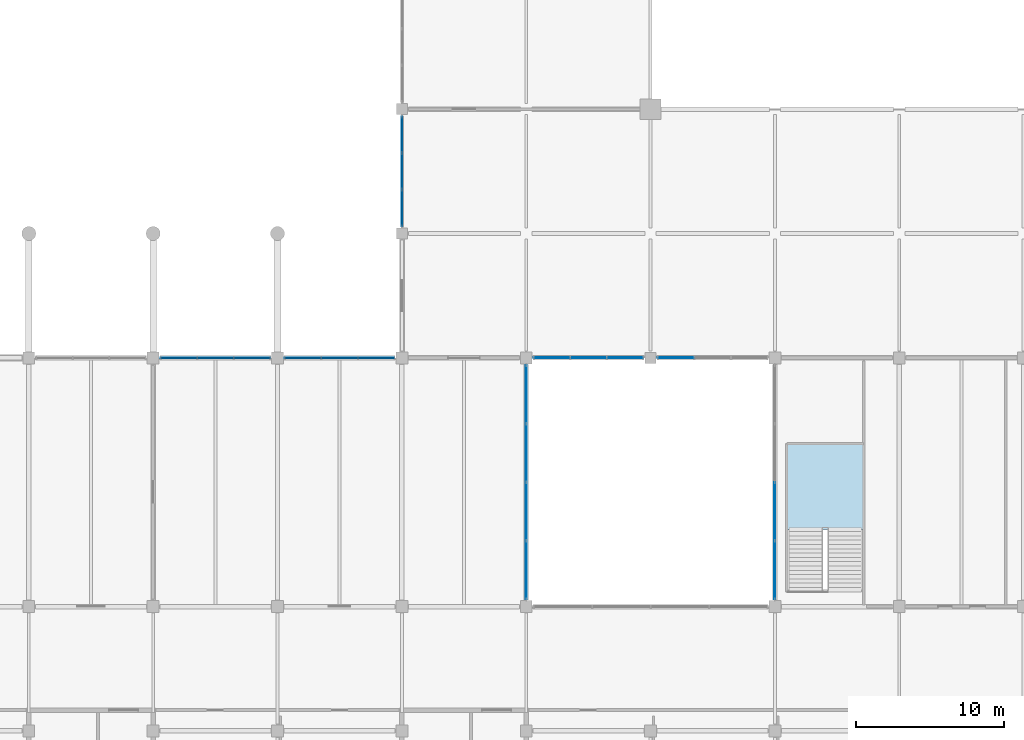
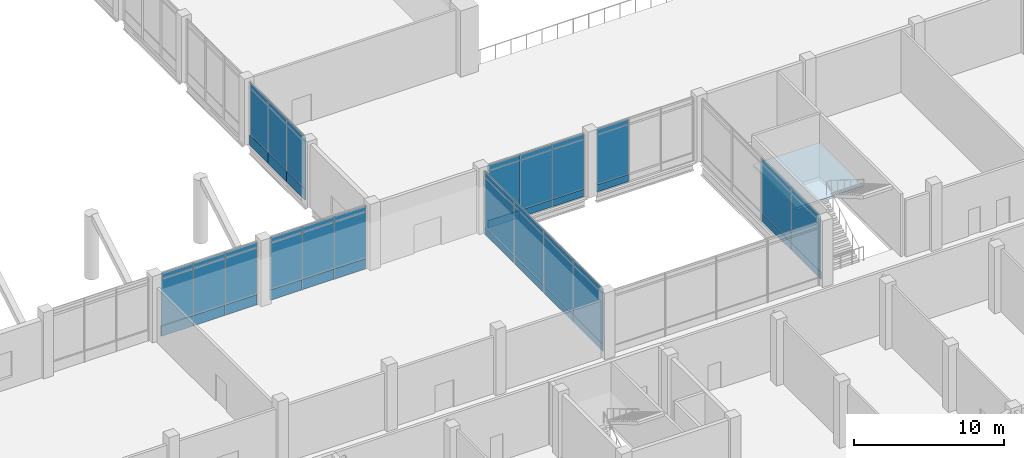
# One storey, part 43 of 72: 57 plates, 1 slab, 8 elements without a shape of their own.
"""IFC4 building model written with IfcOpenShell, lengths in metres."""

from ifc_helpers import new_model, si_unit, direction, frame, frame_2d, origin, place, context, subcontext, project, spatial, polyline, rectangle, outline, extrude, material, layer, layer_set, type_object, element, aggregate, save


model = new_model("IFC4")

# Units and contexts
model_context = context("Model", 3, precision=1e-05, world=origin(), true_north=direction((0.0, 1.0)))
body_context = subcontext(model_context, "Body", "Model", "MODEL_VIEW")
ifc_project = project(units=[si_unit("LENGTHUNIT", "METRE"), si_unit("AREAUNIT", "SQUARE_METRE"), si_unit("VOLUMEUNIT", "CUBIC_METRE"), si_unit("PLANEANGLEUNIT", "RADIAN"), si_unit("MASSUNIT", "GRAM", prefix="KILO")], contexts=[model_context])

# Site, building, storey
site_placement = place(None, origin())
site = spatial("IfcSite", under=ifc_project, at=site_placement, CompositionType="ELEMENT")
building_placement = place(site_placement, origin())
building = spatial("IfcBuilding", under=site, at=building_placement, Name="Qawsi Khor Wholesale Market", CompositionType="ELEMENT")
storey_placement = place(building_placement, frame((0.0, 0.0, 6.0)))
storey = spatial("IfcBuildingStorey", under=building, at=storey_placement, Name="L01", CompositionType="ELEMENT", Elevation=6.0)

# Stair, slab
ifc_material_1 = material(Name="Concrete C40/50", Category="concrete")
stair_type = type_object("IfcStairType", Name="Atrium Feature Stair 5400 Rise", PredefinedType="HALF_TURN_STAIR", material=ifc_material_1)
stair_placement = place(storey_placement, origin())
stair = element("IfcStair", 1, at=stair_placement, inside=storey, type_object=stair_type, Name="Atrium feature stair E L01", PredefinedType="HALF_TURN_STAIR")
ifc_layer_1 = layer(ifc_material_1, 0.199951171875, Name="Concrete C40/50")
ifc_layer_set_1 = layer_set([ifc_layer_1], Name="Concrete C40/50")
slab_type = type_object("IfcSlabType", Name="Atrium Feature Landing Slab 200 C40/50", PredefinedType="LANDING", material=ifc_layer_set_1)
slab_placement = place(storey_placement, frame((0.0, 0.0, 2.5)))
slab = element("IfcSlab", 2, at=slab_placement, type_object=slab_type, Name="ST-AE-1 landing 1", PredefinedType="LANDING", context=body_context, shape_type="SweptSolid", body=[
    extrude(outline(polyline([(168.820068359375, 30.389892578125), (173.97998046875, 30.389892578125), (173.97998046875, 36.219970703125), (168.820068359375, 36.219970703125), (168.820068359375, 30.389892578125)])), origin(), (0.0, 0.0, 1.0), 0.199951171875),
])
aggregate(stair, [slab])

# Curtain wall, plates
ifc_material_2 = material(Name="Aluminium Anodised Bronze", Category="aluminium")
ifc_layer_2 = layer(ifc_material_2, 0.179931640625, Name="Aluminium Anodised Bronze")
ifc_layer_set_2 = layer_set([ifc_layer_2], Name="Aluminium Anodised Bronze")
curtain_wall_type_1 = type_object("IfcCurtainWallType", Name="Atrium Full-Height Curtain Wall CW-02", PredefinedType="NOTDEFINED", material=ifc_layer_set_2)
curtain_wall_1_placement = place(storey_placement, origin())
curtain_wall_1 = element("IfcCurtainWall", 3, at=curtain_wall_1_placement, inside=storey, type_object=curtain_wall_type_1, Name="Curtain wall CW-CW-02-L01-037", PredefinedType="NOTDEFINED")
ifc_material_3 = material(Name="Anodised Aluminium Spandrel", Category="aluminium")
ifc_layer_3 = layer(ifc_material_3, 0.06494140625, Name="Anodised Aluminium Spandrel")
ifc_layer_set_3 = layer_set([ifc_layer_3], Name="Anodised Aluminium Spandrel")
plate_type_1 = type_object("IfcPlateType", Name="Insulated Spandrel Panel CW-02 65mm", PredefinedType="CURTAIN_PANEL", material=ifc_layer_set_3)
plate_1_placement = place(storey_placement, frame((151.695068359375, 42.0, 0.0048828125), z_axis=(0.0, 0.0, 1.0), x_axis=(1.0, 0.0, 0.0)))
plate_1 = element("IfcPlate", 4, at=plate_1_placement, type_object=plate_type_1, Name="Curtain panel CW-CW-02-L01-037-P0_00", PredefinedType="CURTAIN_PANEL", context=body_context, shape_type="SweptSolid", body=[
    extrude(rectangle(XDim=2.469970703125, YDim=0.06494140625, at=frame_2d((1.23486328125, 0.0))), origin(), (0.0, 0.0, 1.0), 0.590087890625),
])
plate_2_placement = place(storey_placement, frame((154.1650390625, 42.0, 0.0048828125), z_axis=(0.0, 0.0, 1.0), x_axis=(1.0, 0.0, 0.0)))
plate_2 = element("IfcPlate", 5, at=plate_2_placement, type_object=plate_type_1, Name="Curtain panel CW-CW-02-L01-037-P0_01", PredefinedType="CURTAIN_PANEL", context=body_context, shape_type="SweptSolid", body=[
    extrude(rectangle(XDim=2.469970703125, YDim=0.06494140625, at=frame_2d((1.23486328125, 0.0))), origin(), (0.0, 0.0, 1.0), 0.590087890625),
])
plate_3_placement = place(storey_placement, frame((156.635009765625, 42.0, 0.0048828125), z_axis=(0.0, 0.0, 1.0), x_axis=(1.0, 0.0, 0.0)))
plate_3 = element("IfcPlate", 6, at=plate_3_placement, type_object=plate_type_1, Name="Curtain panel CW-CW-02-L01-037-P0_02", PredefinedType="CURTAIN_PANEL", context=body_context, shape_type="SweptSolid", body=[
    extrude(rectangle(XDim=2.469970703125, YDim=0.06494140625, at=frame_2d((1.23486328125, 0.0))), origin(), (0.0, 0.0, 1.0), 0.590087890625),
])

# Curtain wall, plate
curtain_wall_2_placement = place(storey_placement, origin())
curtain_wall_2 = element("IfcCurtainWall", 7, at=curtain_wall_2_placement, inside=storey, type_object=curtain_wall_type_1, Name="Curtain wall CW-CW-02-L01-038", PredefinedType="NOTDEFINED")
plate_4_placement = place(storey_placement, frame((160.094970703125, 42.0, 0.0048828125), z_axis=(0.0, 0.0, 1.0), x_axis=(1.0, 0.0, 0.0)))
plate_4 = element("IfcPlate", 8, at=plate_4_placement, type_object=plate_type_1, Name="Curtain panel CW-CW-02-L01-038-P0_00", PredefinedType="CURTAIN_PANEL", context=body_context, shape_type="SweptSolid", body=[
    extrude(rectangle(XDim=2.469970703125, YDim=0.06494140625, at=frame_2d((1.23486328125, 0.0))), origin(), (0.0, 0.0, 1.0), 0.590087890625),
])

# Curtain wall, plates
curtain_wall_3_placement = place(storey_placement, origin())
curtain_wall_3 = element("IfcCurtainWall", 9, at=curtain_wall_3_placement, inside=storey, type_object=curtain_wall_type_1, Name="Curtain wall CW-CW-02-L01-039", PredefinedType="NOTDEFINED")
plate_5_placement = place(storey_placement, frame((151.199951171875, 25.695068359375, 0.0048828125), z_axis=(0.0, 0.0, 1.0), x_axis=(0.0, 1.0, 0.0)))
plate_5 = element("IfcPlate", 10, at=plate_5_placement, type_object=plate_type_1, Name="Curtain panel CW-CW-02-L01-039-P0_00", PredefinedType="CURTAIN_PANEL", context=body_context, shape_type="SweptSolid", body=[
    extrude(rectangle(XDim=3.952392578125, YDim=0.06494140625, at=frame_2d((1.97607421875, 0.0))), origin(), (0.0, 0.0, 1.0), 0.590087890625),
])
plate_6_placement = place(storey_placement, frame((151.199951171875, 29.6474609375, 0.0048828125), z_axis=(0.0, 0.0, 1.0), x_axis=(0.0, 1.0, 0.0)))
plate_6 = element("IfcPlate", 11, at=plate_6_placement, type_object=plate_type_1, Name="Curtain panel CW-CW-02-L01-039-P0_01", PredefinedType="CURTAIN_PANEL", context=body_context, shape_type="SweptSolid", body=[
    extrude(rectangle(XDim=3.95263671875, YDim=0.06494140625, at=frame_2d((1.976318359375, 0.0))), origin(), (0.0, 0.0, 1.0), 0.590087890625),
])
plate_7_placement = place(storey_placement, frame((151.199951171875, 33.60009765625, 0.0048828125), z_axis=(0.0, 0.0, 1.0), x_axis=(0.0, 1.0, 0.0)))
plate_7 = element("IfcPlate", 12, at=plate_7_placement, type_object=plate_type_1, Name="Curtain panel CW-CW-02-L01-039-P0_02", PredefinedType="CURTAIN_PANEL", context=body_context, shape_type="SweptSolid", body=[
    extrude(rectangle(XDim=3.952392578125, YDim=0.06494140625, at=frame_2d((1.97607421875, 0.0))), origin(), (0.0, 0.0, 1.0), 0.590087890625),
])
plate_8_placement = place(storey_placement, frame((151.199951171875, 37.552490234375, 0.0048828125), z_axis=(0.0, 0.0, 1.0), x_axis=(0.0, 1.0, 0.0)))
plate_8 = element("IfcPlate", 13, at=plate_8_placement, type_object=plate_type_1, Name="Curtain panel CW-CW-02-L01-039-P0_03", PredefinedType="CURTAIN_PANEL", context=body_context, shape_type="SweptSolid", body=[
    extrude(rectangle(XDim=3.952392578125, YDim=0.06494140625, at=frame_2d((1.97607421875, 0.0))), origin(), (0.0, 0.0, 1.0), 0.590087890625),
])

curtain_wall_4_placement = place(storey_placement, origin())
curtain_wall_4 = element("IfcCurtainWall", 14, at=curtain_wall_4_placement, inside=storey, type_object=curtain_wall_type_1, Name="Curtain wall CW-CW-02-L01-040", PredefinedType="NOTDEFINED")
plate_9_placement = place(storey_placement, frame((168.0, 25.695068359375, 0.0048828125), z_axis=(0.0, 0.0, 1.0), x_axis=(0.0, 1.0, 0.0)))
plate_9 = element("IfcPlate", 15, at=plate_9_placement, type_object=plate_type_1, Name="Curtain panel CW-CW-02-L01-040-P0_00", PredefinedType="CURTAIN_PANEL", context=body_context, shape_type="SweptSolid", body=[
    extrude(rectangle(XDim=3.952392578125, YDim=0.06494140625, at=frame_2d((1.97607421875, 0.0))), origin(), (0.0, 0.0, 1.0), 0.590087890625),
])
plate_10_placement = place(storey_placement, frame((168.0, 29.6474609375, 0.0048828125), z_axis=(0.0, 0.0, 1.0), x_axis=(0.0, 1.0, 0.0)))
plate_10 = element("IfcPlate", 16, at=plate_10_placement, type_object=plate_type_1, Name="Curtain panel CW-CW-02-L01-040-P0_01", PredefinedType="CURTAIN_PANEL", context=body_context, shape_type="SweptSolid", body=[
    extrude(rectangle(XDim=3.95263671875, YDim=0.06494140625, at=frame_2d((1.976318359375, 0.0))), origin(), (0.0, 0.0, 1.0), 0.590087890625),
])

ifc_layer_4 = layer(ifc_material_2, 0.199951171875, Name="Aluminium Anodised Bronze")
ifc_layer_set_4 = layer_set([ifc_layer_4], Name="Aluminium Anodised Bronze")
curtain_wall_type_2 = type_object("IfcCurtainWallType", Name="Trading Hall North-Light Curtain Wall CW-03", PredefinedType="NOTDEFINED", material=ifc_layer_set_4)
curtain_wall_5_placement = place(storey_placement, origin())
curtain_wall_5 = element("IfcCurtainWall", 17, at=curtain_wall_5_placement, inside=storey, type_object=curtain_wall_type_2, Name="Curtain wall CW-CW-03-L01-076", PredefinedType="NOTDEFINED")
ifc_layer_5 = layer(ifc_material_3, 0.074951171875, Name="Anodised Aluminium Spandrel")
ifc_layer_set_5 = layer_set([ifc_layer_5], Name="Anodised Aluminium Spandrel")
plate_type_2 = type_object("IfcPlateType", Name="Insulated Spandrel Panel CW-03 75mm", PredefinedType="CURTAIN_PANEL", material=ifc_layer_set_5)
plate_11_placement = place(storey_placement, frame((142.800048828125, 50.8974609375, 0.0048828125), z_axis=(0.0, 0.0, 1.0), x_axis=(0.0, 1.0, 0.0)))
plate_11 = element("IfcPlate", 18, at=plate_11_placement, type_object=plate_type_2, Name="Curtain panel CW-CW-03-L01-076-P0_00", PredefinedType="CURTAIN_PANEL", context=body_context, shape_type="SweptSolid", body=[
    extrude(rectangle(XDim=2.46826171875, YDim=0.074951171875, at=frame_2d((1.234130859375, 0.0))), origin(), (0.0, 0.0, 1.0), 0.840087890625),
])
plate_12_placement = place(storey_placement, frame((142.800048828125, 53.36572265625, 0.0048828125), z_axis=(0.0, 0.0, 1.0), x_axis=(0.0, 1.0, 0.0)))
plate_12 = element("IfcPlate", 19, at=plate_12_placement, type_object=plate_type_2, Name="Curtain panel CW-CW-03-L01-076-P0_01", PredefinedType="CURTAIN_PANEL", context=body_context, shape_type="SweptSolid", body=[
    extrude(rectangle(XDim=2.468505859375, YDim=0.074951171875, at=frame_2d((1.234375, 0.0))), origin(), (0.0, 0.0, 1.0), 0.840087890625),
])
plate_13_placement = place(storey_placement, frame((142.800048828125, 55.834228515625, 0.0048828125), z_axis=(0.0, 0.0, 1.0), x_axis=(0.0, 1.0, 0.0)))
plate_13 = element("IfcPlate", 20, at=plate_13_placement, type_object=plate_type_2, Name="Curtain panel CW-CW-03-L01-076-P0_02", PredefinedType="CURTAIN_PANEL", context=body_context, shape_type="SweptSolid", body=[
    extrude(rectangle(XDim=2.46826171875, YDim=0.074951171875, at=frame_2d((1.234130859375, 0.0))), origin(), (0.0, 0.0, 1.0), 0.840087890625),
])

ifc_layer_6 = layer(ifc_material_2, 0.169921875, Name="Aluminium Anodised Bronze")
ifc_layer_set_6 = layer_set([ifc_layer_6], Name="Aluminium Anodised Bronze")
curtain_wall_type_3 = type_object("IfcCurtainWallType", Name="Central Court Gallery Curtain Wall CW-05", PredefinedType="NOTDEFINED", material=ifc_layer_set_6)
curtain_wall_6_placement = place(storey_placement, origin())
curtain_wall_6 = element("IfcCurtainWall", 21, at=curtain_wall_6_placement, inside=storey, type_object=curtain_wall_type_3, Name="Curtain wall CW-CW-05-L01-064", PredefinedType="NOTDEFINED")
ifc_layer_7 = layer(ifc_material_3, 0.094970703125, Name="Anodised Aluminium Spandrel")
ifc_layer_set_7 = layer_set([ifc_layer_7], Name="Anodised Aluminium Spandrel")
plate_type_3 = type_object("IfcPlateType", Name="Insulated Spandrel Panel CW-05 95mm", PredefinedType="CURTAIN_PANEL", material=ifc_layer_set_7)
plate_14_placement = place(storey_placement, frame((126.5, 42.0, 0.0048828125), z_axis=(0.0, 0.0, 1.0), x_axis=(1.0, 0.0, 0.0)))
plate_14 = element("IfcPlate", 22, at=plate_14_placement, type_object=plate_type_3, Name="Curtain panel CW-CW-05-L01-064-P0_00", PredefinedType="CURTAIN_PANEL", context=body_context, shape_type="SweptSolid", body=[
    extrude(rectangle(XDim=2.466796875, YDim=0.094970703125, at=frame_2d((1.2333984375, 0.0))), origin(), (0.0, 0.0, 1.0), 0.840087890625),
])
plate_15_placement = place(storey_placement, frame((128.966796875, 42.0, 0.0048828125), z_axis=(0.0, 0.0, 1.0), x_axis=(1.0, 0.0, 0.0)))
plate_15 = element("IfcPlate", 23, at=plate_15_placement, type_object=plate_type_3, Name="Curtain panel CW-CW-05-L01-064-P0_01", PredefinedType="CURTAIN_PANEL", context=body_context, shape_type="SweptSolid", body=[
    extrude(rectangle(XDim=2.466552734375, YDim=0.094970703125, at=frame_2d((1.2333984375, 0.0))), origin(), (0.0, 0.0, 1.0), 0.840087890625),
])
plate_16_placement = place(storey_placement, frame((131.433349609375, 42.0, 0.0048828125), z_axis=(0.0, 0.0, 1.0), x_axis=(1.0, 0.0, 0.0)))
plate_16 = element("IfcPlate", 24, at=plate_16_placement, type_object=plate_type_3, Name="Curtain panel CW-CW-05-L01-064-P0_02", PredefinedType="CURTAIN_PANEL", context=body_context, shape_type="SweptSolid", body=[
    extrude(rectangle(XDim=2.466552734375, YDim=0.094970703125, at=frame_2d((1.2333984375, 0.0))), origin(), (0.0, 0.0, 1.0), 0.840087890625),
])

curtain_wall_7_placement = place(storey_placement, origin())
curtain_wall_7 = element("IfcCurtainWall", 25, at=curtain_wall_7_placement, inside=storey, type_object=curtain_wall_type_3, Name="Curtain wall CW-CW-05-L01-065", PredefinedType="NOTDEFINED")
plate_17_placement = place(storey_placement, frame((134.89990234375, 42.0, 0.0048828125), z_axis=(0.0, 0.0, 1.0), x_axis=(1.0, 0.0, 0.0)))
plate_17 = element("IfcPlate", 26, at=plate_17_placement, type_object=plate_type_3, Name="Curtain panel CW-CW-05-L01-065-P0_00", PredefinedType="CURTAIN_PANEL", context=body_context, shape_type="SweptSolid", body=[
    extrude(rectangle(XDim=2.466796875, YDim=0.094970703125, at=frame_2d((1.2333984375, 0.0))), origin(), (0.0, 0.0, 1.0), 0.840087890625),
])
plate_18_placement = place(storey_placement, frame((137.36669921875, 42.0, 0.0048828125), z_axis=(0.0, 0.0, 1.0), x_axis=(1.0, 0.0, 0.0)))
plate_18 = element("IfcPlate", 27, at=plate_18_placement, type_object=plate_type_3, Name="Curtain panel CW-CW-05-L01-065-P0_01", PredefinedType="CURTAIN_PANEL", context=body_context, shape_type="SweptSolid", body=[
    extrude(rectangle(XDim=2.466552734375, YDim=0.094970703125, at=frame_2d((1.2333984375, 0.0))), origin(), (0.0, 0.0, 1.0), 0.840087890625),
])
plate_19_placement = place(storey_placement, frame((139.833251953125, 42.0, 0.0048828125), z_axis=(0.0, 0.0, 1.0), x_axis=(1.0, 0.0, 0.0)))
plate_19 = element("IfcPlate", 28, at=plate_19_placement, type_object=plate_type_3, Name="Curtain panel CW-CW-05-L01-065-P0_02", PredefinedType="CURTAIN_PANEL", context=body_context, shape_type="SweptSolid", body=[
    extrude(rectangle(XDim=2.466796875, YDim=0.094970703125, at=frame_2d((1.2333984375, 0.0))), origin(), (0.0, 0.0, 1.0), 0.840087890625),
])

# Plate
ifc_material_4 = material(Name="Tempered Low-E Solar Glass", Category="glass")
ifc_layer_8 = layer(ifc_material_4, 0.031982421875, Name="Tempered Low-E Solar Glass")
ifc_layer_set_8 = layer_set([ifc_layer_8], Name="Tempered Low-E Solar Glass")
plate_type_4 = type_object("IfcPlateType", Name="Solar Double-Glazed Unit CW-02 32mm", PredefinedType="CURTAIN_PANEL", material=ifc_layer_set_8)
plate_20_placement = place(storey_placement, frame((151.695068359375, 42.0, 0.60498046875), z_axis=(0.0, 0.0, 1.0), x_axis=(1.0, 0.0, 0.0)))
plate_20 = element("IfcPlate", 29, at=plate_20_placement, type_object=plate_type_4, Name="Curtain panel CW-CW-02-L01-037-P1_00", PredefinedType="CURTAIN_PANEL", context=body_context, shape_type="SweptSolid", body=[
    extrude(rectangle(XDim=2.469970703125, YDim=0.031982421875, at=frame_2d((1.23486328125, 0.0))), origin(), (0.0, 0.0, 1.0), 4.06005859375),
])

plate_21_placement = place(storey_placement, frame((154.1650390625, 42.0, 0.60498046875), z_axis=(0.0, 0.0, 1.0), x_axis=(1.0, 0.0, 0.0)))
plate_21 = element("IfcPlate", 30, at=plate_21_placement, type_object=plate_type_4, Name="Curtain panel CW-CW-02-L01-037-P1_01", PredefinedType="CURTAIN_PANEL", context=body_context, shape_type="SweptSolid", body=[
    extrude(rectangle(XDim=2.469970703125, YDim=0.031982421875, at=frame_2d((1.23486328125, 0.0))), origin(), (0.0, 0.0, 1.0), 4.06005859375),
])

plate_22_placement = place(storey_placement, frame((156.635009765625, 42.0, 0.60498046875), z_axis=(0.0, 0.0, 1.0), x_axis=(1.0, 0.0, 0.0)))
plate_22 = element("IfcPlate", 31, at=plate_22_placement, type_object=plate_type_4, Name="Curtain panel CW-CW-02-L01-037-P1_02", PredefinedType="CURTAIN_PANEL", context=body_context, shape_type="SweptSolid", body=[
    extrude(rectangle(XDim=2.469970703125, YDim=0.031982421875, at=frame_2d((1.23486328125, 0.0))), origin(), (0.0, 0.0, 1.0), 4.06005859375),
])

plate_23_placement = place(storey_placement, frame((151.695068359375, 42.0, 4.675048828125), z_axis=(0.0, 0.0, 1.0), x_axis=(1.0, 0.0, 0.0)))
plate_23 = element("IfcPlate", 32, at=plate_23_placement, type_object=plate_type_4, Name="Curtain panel CW-CW-02-L01-037-P2_00", PredefinedType="CURTAIN_PANEL", context=body_context, shape_type="SweptSolid", body=[
    extrude(rectangle(XDim=2.469970703125, YDim=0.031982421875, at=frame_2d((1.23486328125, 0.0))), origin(), (0.0, 0.0, 1.0), 0.43994140625),
])

plate_24_placement = place(storey_placement, frame((154.1650390625, 42.0, 4.675048828125), z_axis=(0.0, 0.0, 1.0), x_axis=(1.0, 0.0, 0.0)))
plate_24 = element("IfcPlate", 33, at=plate_24_placement, type_object=plate_type_4, Name="Curtain panel CW-CW-02-L01-037-P2_01", PredefinedType="CURTAIN_PANEL", context=body_context, shape_type="SweptSolid", body=[
    extrude(rectangle(XDim=2.469970703125, YDim=0.031982421875, at=frame_2d((1.23486328125, 0.0))), origin(), (0.0, 0.0, 1.0), 0.43994140625),
])

plate_25_placement = place(storey_placement, frame((156.635009765625, 42.0, 4.675048828125), z_axis=(0.0, 0.0, 1.0), x_axis=(1.0, 0.0, 0.0)))
plate_25 = element("IfcPlate", 34, at=plate_25_placement, type_object=plate_type_4, Name="Curtain panel CW-CW-02-L01-037-P2_02", PredefinedType="CURTAIN_PANEL", context=body_context, shape_type="SweptSolid", body=[
    extrude(rectangle(XDim=2.469970703125, YDim=0.031982421875, at=frame_2d((1.23486328125, 0.0))), origin(), (0.0, 0.0, 1.0), 0.43994140625),
])

aggregate(curtain_wall_1, [plate_1, plate_2, plate_3, plate_20, plate_21, plate_22, plate_23, plate_24, plate_25])

plate_26_placement = place(storey_placement, frame((160.094970703125, 42.0, 0.60498046875), z_axis=(0.0, 0.0, 1.0), x_axis=(1.0, 0.0, 0.0)))
plate_26 = element("IfcPlate", 35, at=plate_26_placement, type_object=plate_type_4, Name="Curtain panel CW-CW-02-L01-038-P1_00", PredefinedType="CURTAIN_PANEL", context=body_context, shape_type="SweptSolid", body=[
    extrude(rectangle(XDim=2.469970703125, YDim=0.031982421875, at=frame_2d((1.23486328125, 0.0))), origin(), (0.0, 0.0, 1.0), 4.06005859375),
])

plate_27_placement = place(storey_placement, frame((160.094970703125, 42.0, 4.675048828125), z_axis=(0.0, 0.0, 1.0), x_axis=(1.0, 0.0, 0.0)))
plate_27 = element("IfcPlate", 36, at=plate_27_placement, type_object=plate_type_4, Name="Curtain panel CW-CW-02-L01-038-P2_00", PredefinedType="CURTAIN_PANEL", context=body_context, shape_type="SweptSolid", body=[
    extrude(rectangle(XDim=2.469970703125, YDim=0.031982421875, at=frame_2d((1.23486328125, 0.0))), origin(), (0.0, 0.0, 1.0), 0.43994140625),
])

aggregate(curtain_wall_2, [plate_4, plate_26, plate_27])

plate_28_placement = place(storey_placement, frame((151.199951171875, 25.695068359375, 0.60498046875), z_axis=(0.0, 0.0, 1.0), x_axis=(0.0, 1.0, 0.0)))
plate_28 = element("IfcPlate", 37, at=plate_28_placement, type_object=plate_type_4, Name="Curtain panel CW-CW-02-L01-039-P1_00", PredefinedType="CURTAIN_PANEL", context=body_context, shape_type="SweptSolid", body=[
    extrude(rectangle(XDim=3.952392578125, YDim=0.031982421875, at=frame_2d((1.97607421875, 0.0))), origin(), (0.0, 0.0, 1.0), 4.06005859375),
])

plate_29_placement = place(storey_placement, frame((151.199951171875, 29.6474609375, 0.60498046875), z_axis=(0.0, 0.0, 1.0), x_axis=(0.0, 1.0, 0.0)))
plate_29 = element("IfcPlate", 38, at=plate_29_placement, type_object=plate_type_4, Name="Curtain panel CW-CW-02-L01-039-P1_01", PredefinedType="CURTAIN_PANEL", context=body_context, shape_type="SweptSolid", body=[
    extrude(rectangle(XDim=3.95263671875, YDim=0.031982421875, at=frame_2d((1.976318359375, 0.0))), origin(), (0.0, 0.0, 1.0), 4.06005859375),
])

plate_30_placement = place(storey_placement, frame((151.199951171875, 33.60009765625, 0.60498046875), z_axis=(0.0, 0.0, 1.0), x_axis=(0.0, 1.0, 0.0)))
plate_30 = element("IfcPlate", 39, at=plate_30_placement, type_object=plate_type_4, Name="Curtain panel CW-CW-02-L01-039-P1_02", PredefinedType="CURTAIN_PANEL", context=body_context, shape_type="SweptSolid", body=[
    extrude(rectangle(XDim=3.952392578125, YDim=0.031982421875, at=frame_2d((1.97607421875, 0.0))), origin(), (0.0, 0.0, 1.0), 4.06005859375),
])

plate_31_placement = place(storey_placement, frame((151.199951171875, 37.552490234375, 0.60498046875), z_axis=(0.0, 0.0, 1.0), x_axis=(0.0, 1.0, 0.0)))
plate_31 = element("IfcPlate", 40, at=plate_31_placement, type_object=plate_type_4, Name="Curtain panel CW-CW-02-L01-039-P1_03", PredefinedType="CURTAIN_PANEL", context=body_context, shape_type="SweptSolid", body=[
    extrude(rectangle(XDim=3.952392578125, YDim=0.031982421875, at=frame_2d((1.97607421875, 0.0))), origin(), (0.0, 0.0, 1.0), 4.06005859375),
])

plate_32_placement = place(storey_placement, frame((151.199951171875, 25.695068359375, 4.675048828125), z_axis=(0.0, 0.0, 1.0), x_axis=(0.0, 1.0, 0.0)))
plate_32 = element("IfcPlate", 41, at=plate_32_placement, type_object=plate_type_4, Name="Curtain panel CW-CW-02-L01-039-P2_00", PredefinedType="CURTAIN_PANEL", context=body_context, shape_type="SweptSolid", body=[
    extrude(rectangle(XDim=3.952392578125, YDim=0.031982421875, at=frame_2d((1.97607421875, 0.0))), origin(), (0.0, 0.0, 1.0), 0.43994140625),
])

plate_33_placement = place(storey_placement, frame((151.199951171875, 29.6474609375, 4.675048828125), z_axis=(0.0, 0.0, 1.0), x_axis=(0.0, 1.0, 0.0)))
plate_33 = element("IfcPlate", 42, at=plate_33_placement, type_object=plate_type_4, Name="Curtain panel CW-CW-02-L01-039-P2_01", PredefinedType="CURTAIN_PANEL", context=body_context, shape_type="SweptSolid", body=[
    extrude(rectangle(XDim=3.95263671875, YDim=0.031982421875, at=frame_2d((1.976318359375, 0.0))), origin(), (0.0, 0.0, 1.0), 0.43994140625),
])

plate_34_placement = place(storey_placement, frame((151.199951171875, 33.60009765625, 4.675048828125), z_axis=(0.0, 0.0, 1.0), x_axis=(0.0, 1.0, 0.0)))
plate_34 = element("IfcPlate", 43, at=plate_34_placement, type_object=plate_type_4, Name="Curtain panel CW-CW-02-L01-039-P2_02", PredefinedType="CURTAIN_PANEL", context=body_context, shape_type="SweptSolid", body=[
    extrude(rectangle(XDim=3.952392578125, YDim=0.031982421875, at=frame_2d((1.97607421875, 0.0))), origin(), (0.0, 0.0, 1.0), 0.43994140625),
])

plate_35_placement = place(storey_placement, frame((151.199951171875, 37.552490234375, 4.675048828125), z_axis=(0.0, 0.0, 1.0), x_axis=(0.0, 1.0, 0.0)))
plate_35 = element("IfcPlate", 44, at=plate_35_placement, type_object=plate_type_4, Name="Curtain panel CW-CW-02-L01-039-P2_03", PredefinedType="CURTAIN_PANEL", context=body_context, shape_type="SweptSolid", body=[
    extrude(rectangle(XDim=3.952392578125, YDim=0.031982421875, at=frame_2d((1.97607421875, 0.0))), origin(), (0.0, 0.0, 1.0), 0.43994140625),
])

aggregate(curtain_wall_3, [plate_5, plate_6, plate_7, plate_8, plate_28, plate_29, plate_30, plate_31, plate_32, plate_33, plate_34, plate_35])

plate_36_placement = place(storey_placement, frame((168.0, 25.695068359375, 0.60498046875), z_axis=(0.0, 0.0, 1.0), x_axis=(0.0, 1.0, 0.0)))
plate_36 = element("IfcPlate", 45, at=plate_36_placement, type_object=plate_type_4, Name="Curtain panel CW-CW-02-L01-040-P1_00", PredefinedType="CURTAIN_PANEL", context=body_context, shape_type="SweptSolid", body=[
    extrude(rectangle(XDim=3.952392578125, YDim=0.031982421875, at=frame_2d((1.97607421875, 0.0))), origin(), (0.0, 0.0, 1.0), 4.06005859375),
])

plate_37_placement = place(storey_placement, frame((168.0, 29.6474609375, 0.60498046875), z_axis=(0.0, 0.0, 1.0), x_axis=(0.0, 1.0, 0.0)))
plate_37 = element("IfcPlate", 46, at=plate_37_placement, type_object=plate_type_4, Name="Curtain panel CW-CW-02-L01-040-P1_01", PredefinedType="CURTAIN_PANEL", context=body_context, shape_type="SweptSolid", body=[
    extrude(rectangle(XDim=3.95263671875, YDim=0.031982421875, at=frame_2d((1.976318359375, 0.0))), origin(), (0.0, 0.0, 1.0), 4.06005859375),
])

plate_38_placement = place(storey_placement, frame((168.0, 25.695068359375, 4.675048828125), z_axis=(0.0, 0.0, 1.0), x_axis=(0.0, 1.0, 0.0)))
plate_38 = element("IfcPlate", 47, at=plate_38_placement, type_object=plate_type_4, Name="Curtain panel CW-CW-02-L01-040-P2_00", PredefinedType="CURTAIN_PANEL", context=body_context, shape_type="SweptSolid", body=[
    extrude(rectangle(XDim=3.952392578125, YDim=0.031982421875, at=frame_2d((1.97607421875, 0.0))), origin(), (0.0, 0.0, 1.0), 0.43994140625),
])

plate_39_placement = place(storey_placement, frame((168.0, 29.6474609375, 4.675048828125), z_axis=(0.0, 0.0, 1.0), x_axis=(0.0, 1.0, 0.0)))
plate_39 = element("IfcPlate", 48, at=plate_39_placement, type_object=plate_type_4, Name="Curtain panel CW-CW-02-L01-040-P2_01", PredefinedType="CURTAIN_PANEL", context=body_context, shape_type="SweptSolid", body=[
    extrude(rectangle(XDim=3.95263671875, YDim=0.031982421875, at=frame_2d((1.976318359375, 0.0))), origin(), (0.0, 0.0, 1.0), 0.43994140625),
])

aggregate(curtain_wall_4, [plate_9, plate_10, plate_36, plate_37, plate_38, plate_39])

ifc_layer_9 = layer(ifc_material_4, 0.0419921875, Name="Tempered Low-E Solar Glass")
ifc_layer_set_9 = layer_set([ifc_layer_9], Name="Tempered Low-E Solar Glass")
plate_type_5 = type_object("IfcPlateType", Name="Solar Double-Glazed Unit CW-03 42mm", PredefinedType="CURTAIN_PANEL", material=ifc_layer_set_9)
plate_40_placement = place(storey_placement, frame((142.800048828125, 50.8974609375, 0.85498046875), z_axis=(0.0, 0.0, 1.0), x_axis=(0.0, 1.0, 0.0)))
plate_40 = element("IfcPlate", 49, at=plate_40_placement, type_object=plate_type_5, Name="Curtain panel CW-CW-03-L01-076-P1_00", PredefinedType="CURTAIN_PANEL", context=body_context, shape_type="SweptSolid", body=[
    extrude(rectangle(XDim=2.46826171875, YDim=0.0419921875, at=frame_2d((1.234130859375, 0.0))), origin(), (0.0, 0.0, 1.0), 3.820068359375),
])

plate_41_placement = place(storey_placement, frame((142.800048828125, 53.36572265625, 0.85498046875), z_axis=(0.0, 0.0, 1.0), x_axis=(0.0, 1.0, 0.0)))
plate_41 = element("IfcPlate", 50, at=plate_41_placement, type_object=plate_type_5, Name="Curtain panel CW-CW-03-L01-076-P1_01", PredefinedType="CURTAIN_PANEL", context=body_context, shape_type="SweptSolid", body=[
    extrude(rectangle(XDim=2.468505859375, YDim=0.0419921875, at=frame_2d((1.234375, 0.0))), origin(), (0.0, 0.0, 1.0), 3.820068359375),
])

plate_42_placement = place(storey_placement, frame((142.800048828125, 55.834228515625, 0.85498046875), z_axis=(0.0, 0.0, 1.0), x_axis=(0.0, 1.0, 0.0)))
plate_42 = element("IfcPlate", 51, at=plate_42_placement, type_object=plate_type_5, Name="Curtain panel CW-CW-03-L01-076-P1_02", PredefinedType="CURTAIN_PANEL", context=body_context, shape_type="SweptSolid", body=[
    extrude(rectangle(XDim=2.46826171875, YDim=0.0419921875, at=frame_2d((1.234130859375, 0.0))), origin(), (0.0, 0.0, 1.0), 3.820068359375),
])

plate_43_placement = place(storey_placement, frame((142.800048828125, 50.8974609375, 4.68505859375), z_axis=(0.0, 0.0, 1.0), x_axis=(0.0, 1.0, 0.0)))
plate_43 = element("IfcPlate", 52, at=plate_43_placement, type_object=plate_type_5, Name="Curtain panel CW-CW-03-L01-076-P2_00", PredefinedType="CURTAIN_PANEL", context=body_context, shape_type="SweptSolid", body=[
    extrude(rectangle(XDim=2.46826171875, YDim=0.0419921875, at=frame_2d((1.234130859375, 0.0))), origin(), (0.0, 0.0, 1.0), 0.43994140625),
])

plate_44_placement = place(storey_placement, frame((142.800048828125, 53.36572265625, 4.68505859375), z_axis=(0.0, 0.0, 1.0), x_axis=(0.0, 1.0, 0.0)))
plate_44 = element("IfcPlate", 53, at=plate_44_placement, type_object=plate_type_5, Name="Curtain panel CW-CW-03-L01-076-P2_01", PredefinedType="CURTAIN_PANEL", context=body_context, shape_type="SweptSolid", body=[
    extrude(rectangle(XDim=2.468505859375, YDim=0.0419921875, at=frame_2d((1.234375, 0.0))), origin(), (0.0, 0.0, 1.0), 0.43994140625),
])

plate_45_placement = place(storey_placement, frame((142.800048828125, 55.834228515625, 4.68505859375), z_axis=(0.0, 0.0, 1.0), x_axis=(0.0, 1.0, 0.0)))
plate_45 = element("IfcPlate", 54, at=plate_45_placement, type_object=plate_type_5, Name="Curtain panel CW-CW-03-L01-076-P2_02", PredefinedType="CURTAIN_PANEL", context=body_context, shape_type="SweptSolid", body=[
    extrude(rectangle(XDim=2.46826171875, YDim=0.0419921875, at=frame_2d((1.234130859375, 0.0))), origin(), (0.0, 0.0, 1.0), 0.43994140625),
])

aggregate(curtain_wall_5, [plate_11, plate_12, plate_13, plate_40, plate_41, plate_42, plate_43, plate_44, plate_45])

ifc_layer_10 = layer(ifc_material_4, 0.035888671875, Name="Tempered Low-E Solar Glass")
ifc_layer_set_10 = layer_set([ifc_layer_10], Name="Tempered Low-E Solar Glass")
plate_type_6 = type_object("IfcPlateType", Name="Solar Double-Glazed Unit CW-05 36mm", PredefinedType="CURTAIN_PANEL", material=ifc_layer_set_10)
plate_46_placement = place(storey_placement, frame((126.5, 42.0, 0.85498046875), z_axis=(0.0, 0.0, 1.0), x_axis=(1.0, 0.0, 0.0)))
plate_46 = element("IfcPlate", 55, at=plate_46_placement, type_object=plate_type_6, Name="Curtain panel CW-CW-05-L01-064-P1_00", PredefinedType="CURTAIN_PANEL", context=body_context, shape_type="SweptSolid", body=[
    extrude(rectangle(XDim=2.466796875, YDim=0.035888671875, at=frame_2d((1.2333984375, 0.0))), origin(), (0.0, 0.0, 1.0), 3.81005859375),
])

plate_47_placement = place(storey_placement, frame((128.966796875, 42.0, 0.85498046875), z_axis=(0.0, 0.0, 1.0), x_axis=(1.0, 0.0, 0.0)))
plate_47 = element("IfcPlate", 56, at=plate_47_placement, type_object=plate_type_6, Name="Curtain panel CW-CW-05-L01-064-P1_01", PredefinedType="CURTAIN_PANEL", context=body_context, shape_type="SweptSolid", body=[
    extrude(rectangle(XDim=2.466552734375, YDim=0.035888671875, at=frame_2d((1.2333984375, 0.0))), origin(), (0.0, 0.0, 1.0), 3.81005859375),
])

plate_48_placement = place(storey_placement, frame((131.433349609375, 42.0, 0.85498046875), z_axis=(0.0, 0.0, 1.0), x_axis=(1.0, 0.0, 0.0)))
plate_48 = element("IfcPlate", 57, at=plate_48_placement, type_object=plate_type_6, Name="Curtain panel CW-CW-05-L01-064-P1_02", PredefinedType="CURTAIN_PANEL", context=body_context, shape_type="SweptSolid", body=[
    extrude(rectangle(XDim=2.466552734375, YDim=0.035888671875, at=frame_2d((1.2333984375, 0.0))), origin(), (0.0, 0.0, 1.0), 3.81005859375),
])

plate_49_placement = place(storey_placement, frame((126.5, 42.0, 4.675048828125), z_axis=(0.0, 0.0, 1.0), x_axis=(1.0, 0.0, 0.0)))
plate_49 = element("IfcPlate", 58, at=plate_49_placement, type_object=plate_type_6, Name="Curtain panel CW-CW-05-L01-064-P2_00", PredefinedType="CURTAIN_PANEL", context=body_context, shape_type="SweptSolid", body=[
    extrude(rectangle(XDim=2.466796875, YDim=0.035888671875, at=frame_2d((1.2333984375, 0.0))), origin(), (0.0, 0.0, 1.0), 0.43994140625),
])

plate_50_placement = place(storey_placement, frame((128.966796875, 42.0, 4.675048828125), z_axis=(0.0, 0.0, 1.0), x_axis=(1.0, 0.0, 0.0)))
plate_50 = element("IfcPlate", 59, at=plate_50_placement, type_object=plate_type_6, Name="Curtain panel CW-CW-05-L01-064-P2_01", PredefinedType="CURTAIN_PANEL", context=body_context, shape_type="SweptSolid", body=[
    extrude(rectangle(XDim=2.466552734375, YDim=0.035888671875, at=frame_2d((1.2333984375, 0.0))), origin(), (0.0, 0.0, 1.0), 0.43994140625),
])

plate_51_placement = place(storey_placement, frame((131.433349609375, 42.0, 4.675048828125), z_axis=(0.0, 0.0, 1.0), x_axis=(1.0, 0.0, 0.0)))
plate_51 = element("IfcPlate", 60, at=plate_51_placement, type_object=plate_type_6, Name="Curtain panel CW-CW-05-L01-064-P2_02", PredefinedType="CURTAIN_PANEL", context=body_context, shape_type="SweptSolid", body=[
    extrude(rectangle(XDim=2.466552734375, YDim=0.035888671875, at=frame_2d((1.2333984375, 0.0))), origin(), (0.0, 0.0, 1.0), 0.43994140625),
])

aggregate(curtain_wall_6, [plate_14, plate_15, plate_16, plate_46, plate_47, plate_48, plate_49, plate_50, plate_51])

plate_52_placement = place(storey_placement, frame((134.89990234375, 42.0, 0.85498046875), z_axis=(0.0, 0.0, 1.0), x_axis=(1.0, 0.0, 0.0)))
plate_52 = element("IfcPlate", 61, at=plate_52_placement, type_object=plate_type_6, Name="Curtain panel CW-CW-05-L01-065-P1_00", PredefinedType="CURTAIN_PANEL", context=body_context, shape_type="SweptSolid", body=[
    extrude(rectangle(XDim=2.466796875, YDim=0.035888671875, at=frame_2d((1.2333984375, 0.0))), origin(), (0.0, 0.0, 1.0), 3.81005859375),
])

plate_53_placement = place(storey_placement, frame((137.36669921875, 42.0, 0.85498046875), z_axis=(0.0, 0.0, 1.0), x_axis=(1.0, 0.0, 0.0)))
plate_53 = element("IfcPlate", 62, at=plate_53_placement, type_object=plate_type_6, Name="Curtain panel CW-CW-05-L01-065-P1_01", PredefinedType="CURTAIN_PANEL", context=body_context, shape_type="SweptSolid", body=[
    extrude(rectangle(XDim=2.466552734375, YDim=0.035888671875, at=frame_2d((1.2333984375, 0.0))), origin(), (0.0, 0.0, 1.0), 3.81005859375),
])

plate_54_placement = place(storey_placement, frame((139.833251953125, 42.0, 0.85498046875), z_axis=(0.0, 0.0, 1.0), x_axis=(1.0, 0.0, 0.0)))
plate_54 = element("IfcPlate", 63, at=plate_54_placement, type_object=plate_type_6, Name="Curtain panel CW-CW-05-L01-065-P1_02", PredefinedType="CURTAIN_PANEL", context=body_context, shape_type="SweptSolid", body=[
    extrude(rectangle(XDim=2.466796875, YDim=0.035888671875, at=frame_2d((1.2333984375, 0.0))), origin(), (0.0, 0.0, 1.0), 3.81005859375),
])

plate_55_placement = place(storey_placement, frame((134.89990234375, 42.0, 4.675048828125), z_axis=(0.0, 0.0, 1.0), x_axis=(1.0, 0.0, 0.0)))
plate_55 = element("IfcPlate", 64, at=plate_55_placement, type_object=plate_type_6, Name="Curtain panel CW-CW-05-L01-065-P2_00", PredefinedType="CURTAIN_PANEL", context=body_context, shape_type="SweptSolid", body=[
    extrude(rectangle(XDim=2.466796875, YDim=0.035888671875, at=frame_2d((1.2333984375, 0.0))), origin(), (0.0, 0.0, 1.0), 0.43994140625),
])

plate_56_placement = place(storey_placement, frame((137.36669921875, 42.0, 4.675048828125), z_axis=(0.0, 0.0, 1.0), x_axis=(1.0, 0.0, 0.0)))
plate_56 = element("IfcPlate", 65, at=plate_56_placement, type_object=plate_type_6, Name="Curtain panel CW-CW-05-L01-065-P2_01", PredefinedType="CURTAIN_PANEL", context=body_context, shape_type="SweptSolid", body=[
    extrude(rectangle(XDim=2.466552734375, YDim=0.035888671875, at=frame_2d((1.2333984375, 0.0))), origin(), (0.0, 0.0, 1.0), 0.43994140625),
])

plate_57_placement = place(storey_placement, frame((139.833251953125, 42.0, 4.675048828125), z_axis=(0.0, 0.0, 1.0), x_axis=(1.0, 0.0, 0.0)))
plate_57 = element("IfcPlate", 66, at=plate_57_placement, type_object=plate_type_6, Name="Curtain panel CW-CW-05-L01-065-P2_02", PredefinedType="CURTAIN_PANEL", context=body_context, shape_type="SweptSolid", body=[
    extrude(rectangle(XDim=2.466796875, YDim=0.035888671875, at=frame_2d((1.2333984375, 0.0))), origin(), (0.0, 0.0, 1.0), 0.43994140625),
])

aggregate(curtain_wall_7, [plate_17, plate_18, plate_19, plate_52, plate_53, plate_54, plate_55, plate_56, plate_57])

save(model, "model.ifc")
